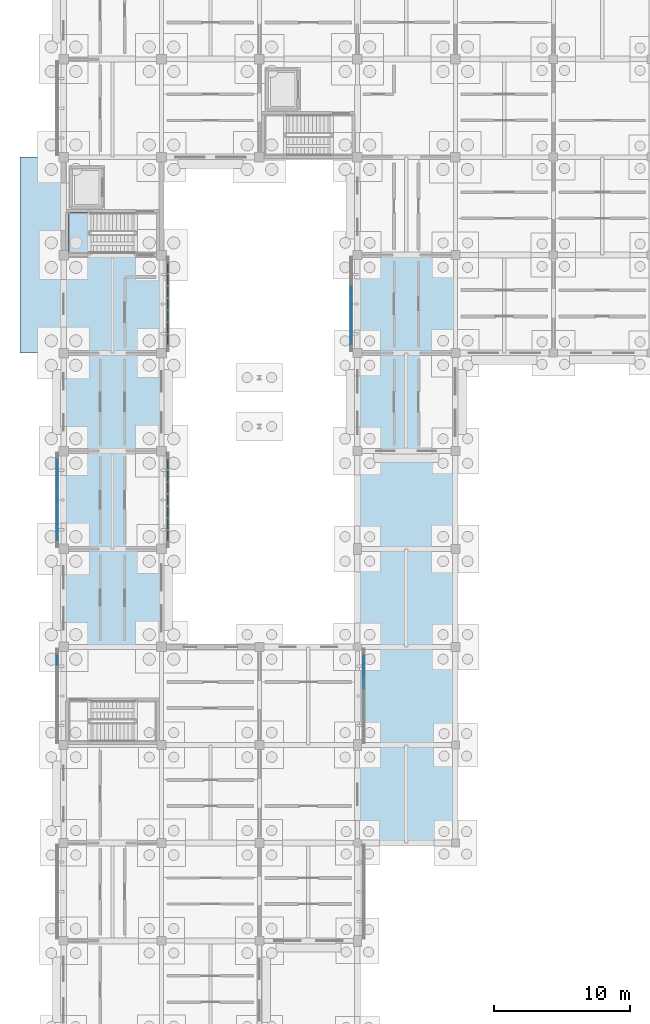
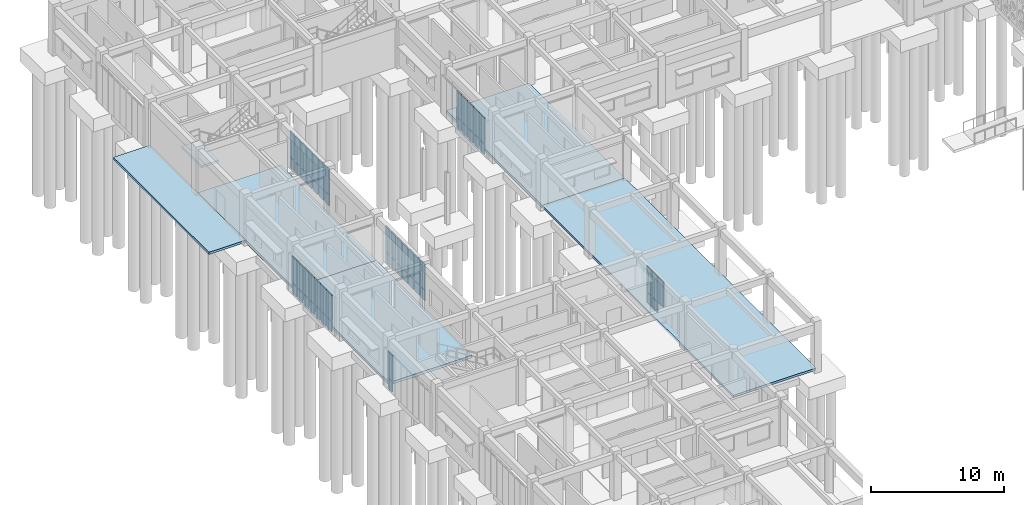
# One storey, part 49 of 111: 59 plates, 6 slabs, 7 elements without a shape of their own.
"""IFC4 building model written with IfcOpenShell, lengths in metres."""

from ifc_helpers import new_model, si_unit, direction, frame, origin, origin_2d, place, context, subcontext, project, spatial, polyline, rectangle, outline, extrude, material, layer, layer_set, type_object, element, aggregate, save


model = new_model("IFC4")

# Units and contexts
model_context = context("Model", 3, precision=1e-05, world=origin(), true_north=direction((0.0, 1.0)))
body_context = subcontext(model_context, "Body", "Model", "MODEL_VIEW")
ifc_project = project(units=[si_unit("LENGTHUNIT", "METRE"), si_unit("AREAUNIT", "SQUARE_METRE"), si_unit("VOLUMEUNIT", "CUBIC_METRE"), si_unit("PLANEANGLEUNIT", "RADIAN"), si_unit("MASSUNIT", "GRAM", prefix="KILO")], contexts=[model_context])

# Site, building, storey
site_placement = place(None, origin())
site = spatial("IfcSite", under=ifc_project, at=site_placement, CompositionType="ELEMENT")
building_placement = place(site_placement, origin())
building = spatial("IfcBuilding", under=site, at=building_placement, Name="Aldebral Square Health Centre", CompositionType="ELEMENT")
storey_placement = place(building_placement, origin())
storey = spatial("IfcBuildingStorey", under=building, at=storey_placement, Name="L00", CompositionType="ELEMENT", Elevation=0.0)

# Curtain wall, plates
ifc_material_1 = material(Name="Aluminium and low-E solar glass", Category="aluminium")
curtain_wall_type = type_object("IfcCurtainWallType", Name="CW-FIN-SYS", PredefinedType="USERDEFINED", material=ifc_material_1)
curtain_wall_1_placement = place(storey_placement, origin())
curtain_wall_1 = element("IfcCurtainWall", 1, at=curtain_wall_1_placement, inside=storey, type_object=curtain_wall_type, Name="L00 V4 finned curtain wall L00-V4-00-08-W", ObjectType="SOLAR_CURTAIN_WALL", PredefinedType="USERDEFINED")
ifc_material_2 = material(Name="Solar-control low-E double glass", Category="glass")
ifc_layer_1 = layer(ifc_material_2, 0.06005859375, Name="Solar-control low-E double glass", Category="glass")
ifc_layer_set_1 = layer_set([ifc_layer_1], Name="Solar-control low-E double glass")
plate_type_1 = type_object("IfcPlateType", Name="CWP-GLZ-5", PredefinedType="CURTAIN_PANEL", material=ifc_layer_set_1)
plate_1_placement = place(storey_placement, frame((-0.4599609375, 63.834228515625, 0.074951171875), z_axis=(0.0, 0.0, 1.0), x_axis=(0.0, -1.0, 0.0)))
plate_1 = element("IfcPlate", 2, at=plate_1_placement, type_object=plate_type_1, Name="CW1 panel 1.1", PredefinedType="CURTAIN_PANEL", context=body_context, shape_type="SweptSolid", body=[
    extrude(rectangle(XDim=0.6513671875, YDim=0.06005859375, at=origin_2d()), origin(), (0.0, 0.0, 1.0), 0.9375),
])
plate_2_placement = place(storey_placement, frame((-0.4599609375, 63.834228515625, 1.087646484375), z_axis=(0.0, 0.0, 1.0), x_axis=(0.0, -1.0, 0.0)))
plate_2 = element("IfcPlate", 3, at=plate_2_placement, type_object=plate_type_1, Name="CW1 panel 1.2", PredefinedType="CURTAIN_PANEL", context=body_context, shape_type="SweptSolid", body=[
    extrude(rectangle(XDim=0.6513671875, YDim=0.06005859375, at=origin_2d()), origin(), (0.0, 0.0, 1.0), 2.357421875),
])
aggregate(curtain_wall_1, [plate_1, plate_2])

curtain_wall_2_placement = place(storey_placement, origin())
curtain_wall_2 = element("IfcCurtainWall", 4, at=curtain_wall_2_placement, inside=storey, type_object=curtain_wall_type, Name="L00 V4 finned curtain wall L00-V4-02-08-E", ObjectType="SOLAR_CURTAIN_WALL", PredefinedType="USERDEFINED")
plate_3_placement = place(storey_placement, frame((22.06005859375, 62.09130859375, 1.087646484375), z_axis=(0.0, 0.0, 1.0), x_axis=(0.0, 1.0, 0.0)))
plate_3 = element("IfcPlate", 5, at=plate_3_placement, type_object=plate_type_1, Name="CW1 panel 5.2", PredefinedType="CURTAIN_PANEL", context=body_context, shape_type="SweptSolid", body=[
    extrude(rectangle(XDim=0.7314453125, YDim=0.06005859375, at=origin_2d()), origin(), (0.0, 0.0, 1.0), 2.357421875),
])
plate_4_placement = place(storey_placement, frame((22.06005859375, 62.98291015625, 0.074951171875), z_axis=(0.0, 0.0, 1.0), x_axis=(0.0, 1.0, 0.0)))
plate_4 = element("IfcPlate", 6, at=plate_4_placement, type_object=plate_type_1, Name="CW1 panel 6.1", PredefinedType="CURTAIN_PANEL", context=body_context, shape_type="SweptSolid", body=[
    extrude(rectangle(XDim=0.7314453125, YDim=0.06005859375, at=origin_2d()), origin(), (0.0, 0.0, 1.0), 0.9375),
])
plate_5_placement = place(storey_placement, frame((22.06005859375, 62.98291015625, 1.087646484375), z_axis=(0.0, 0.0, 1.0), x_axis=(0.0, 1.0, 0.0)))
plate_5 = element("IfcPlate", 7, at=plate_5_placement, type_object=plate_type_1, Name="CW1 panel 6.2", PredefinedType="CURTAIN_PANEL", context=body_context, shape_type="SweptSolid", body=[
    extrude(rectangle(XDim=0.7314453125, YDim=0.06005859375, at=origin_2d()), origin(), (0.0, 0.0, 1.0), 2.357421875),
])
plate_6_placement = place(storey_placement, frame((22.06005859375, 63.834228515625, 0.074951171875), z_axis=(0.0, 0.0, 1.0), x_axis=(0.0, 1.0, 0.0)))
plate_6 = element("IfcPlate", 8, at=plate_6_placement, type_object=plate_type_1, Name="CW1 panel 7.1", PredefinedType="CURTAIN_PANEL", context=body_context, shape_type="SweptSolid", body=[
    extrude(rectangle(XDim=0.6513671875, YDim=0.06005859375, at=origin_2d()), origin(), (0.0, 0.0, 1.0), 0.9375),
])
plate_7_placement = place(storey_placement, frame((22.06005859375, 63.834228515625, 1.087646484375), z_axis=(0.0, 0.0, 1.0), x_axis=(0.0, 1.0, 0.0)))
plate_7 = element("IfcPlate", 9, at=plate_7_placement, type_object=plate_type_1, Name="CW1 panel 7.2", PredefinedType="CURTAIN_PANEL", context=body_context, shape_type="SweptSolid", body=[
    extrude(rectangle(XDim=0.6513671875, YDim=0.06005859375, at=origin_2d()), origin(), (0.0, 0.0, 1.0), 2.357421875),
])
aggregate(curtain_wall_2, [plate_3, plate_4, plate_5, plate_6, plate_7])

curtain_wall_3_placement = place(storey_placement, origin())
curtain_wall_3 = element("IfcCurtainWall", 10, at=curtain_wall_3_placement, inside=storey, type_object=curtain_wall_type, Name="L00 V4 finned curtain wall L00-V4-00-10-W", ObjectType="SOLAR_CURTAIN_WALL", PredefinedType="USERDEFINED")
ifc_layer_2 = layer(ifc_material_2, 0.070068359375, Name="Solar-control low-E double glass", Category="glass")
ifc_layer_set_2 = layer_set([ifc_layer_2], Name="Solar-control low-E double glass")
plate_type_2 = type_object("IfcPlateType", Name="CWP-GLZ-6", PredefinedType="CURTAIN_PANEL", material=ifc_layer_set_2)
plate_8_placement = place(storey_placement, frame((-0.4599609375, 78.234375, 0.074951171875), z_axis=(0.0, 0.0, 1.0), x_axis=(0.0, -1.0, 0.0)))
plate_8 = element("IfcPlate", 11, at=plate_8_placement, type_object=plate_type_2, Name="CW1 panel 1.1", PredefinedType="CURTAIN_PANEL", context=body_context, shape_type="SweptSolid", body=[
    extrude(rectangle(XDim=0.6513671875, YDim=0.070068359375, at=origin_2d()), origin(), (0.0, 0.0, 1.0), 0.9375),
])
plate_9_placement = place(storey_placement, frame((-0.4599609375, 78.234375, 1.087646484375), z_axis=(0.0, 0.0, 1.0), x_axis=(0.0, -1.0, 0.0)))
plate_9 = element("IfcPlate", 12, at=plate_9_placement, type_object=plate_type_2, Name="CW1 panel 1.2", PredefinedType="CURTAIN_PANEL", context=body_context, shape_type="SweptSolid", body=[
    extrude(rectangle(XDim=0.6513671875, YDim=0.070068359375, at=origin_2d()), origin(), (0.0, 0.0, 1.0), 2.357421875),
])
plate_10_placement = place(storey_placement, frame((-0.4599609375, 77.3828125, 0.074951171875), z_axis=(0.0, 0.0, 1.0), x_axis=(0.0, -1.0, 0.0)))
plate_10 = element("IfcPlate", 13, at=plate_10_placement, type_object=plate_type_2, Name="CW1 panel 2.1", PredefinedType="CURTAIN_PANEL", context=body_context, shape_type="SweptSolid", body=[
    extrude(rectangle(XDim=0.7314453125, YDim=0.070068359375, at=origin_2d()), origin(), (0.0, 0.0, 1.0), 0.9375),
])
plate_11_placement = place(storey_placement, frame((-0.4599609375, 77.3828125, 1.087646484375), z_axis=(0.0, 0.0, 1.0), x_axis=(0.0, -1.0, 0.0)))
plate_11 = element("IfcPlate", 14, at=plate_11_placement, type_object=plate_type_2, Name="CW1 panel 2.2", PredefinedType="CURTAIN_PANEL", context=body_context, shape_type="SweptSolid", body=[
    extrude(rectangle(XDim=0.7314453125, YDim=0.070068359375, at=origin_2d()), origin(), (0.0, 0.0, 1.0), 2.357421875),
])
plate_12_placement = place(storey_placement, frame((-0.4599609375, 76.491455078125, 0.074951171875), z_axis=(0.0, 0.0, 1.0), x_axis=(0.0, -1.0, 0.0)))
plate_12 = element("IfcPlate", 15, at=plate_12_placement, type_object=plate_type_2, Name="CW1 panel 3.1", PredefinedType="CURTAIN_PANEL", context=body_context, shape_type="SweptSolid", body=[
    extrude(rectangle(XDim=0.7314453125, YDim=0.070068359375, at=origin_2d()), origin(), (0.0, 0.0, 1.0), 0.9375),
])
plate_13_placement = place(storey_placement, frame((-0.4599609375, 76.491455078125, 1.087646484375), z_axis=(0.0, 0.0, 1.0), x_axis=(0.0, -1.0, 0.0)))
plate_13 = element("IfcPlate", 16, at=plate_13_placement, type_object=plate_type_2, Name="CW1 panel 3.2", PredefinedType="CURTAIN_PANEL", context=body_context, shape_type="SweptSolid", body=[
    extrude(rectangle(XDim=0.7314453125, YDim=0.070068359375, at=origin_2d()), origin(), (0.0, 0.0, 1.0), 2.357421875),
])
plate_14_placement = place(storey_placement, frame((-0.4599609375, 75.60009765625, 0.074951171875), z_axis=(0.0, 0.0, 1.0), x_axis=(0.0, -1.0, 0.0)))
plate_14 = element("IfcPlate", 17, at=plate_14_placement, type_object=plate_type_2, Name="CW1 panel 4.1", PredefinedType="CURTAIN_PANEL", context=body_context, shape_type="SweptSolid", body=[
    extrude(rectangle(XDim=0.7314453125, YDim=0.070068359375, at=origin_2d()), origin(), (0.0, 0.0, 1.0), 0.9375),
])
plate_15_placement = place(storey_placement, frame((-0.4599609375, 75.60009765625, 1.087646484375), z_axis=(0.0, 0.0, 1.0), x_axis=(0.0, -1.0, 0.0)))
plate_15 = element("IfcPlate", 18, at=plate_15_placement, type_object=plate_type_2, Name="CW1 panel 4.2", PredefinedType="CURTAIN_PANEL", context=body_context, shape_type="SweptSolid", body=[
    extrude(rectangle(XDim=0.7314453125, YDim=0.070068359375, at=origin_2d()), origin(), (0.0, 0.0, 1.0), 2.357421875),
])
plate_16_placement = place(storey_placement, frame((-0.4599609375, 74.70849609375, 0.074951171875), z_axis=(0.0, 0.0, 1.0), x_axis=(0.0, -1.0, 0.0)))
plate_16 = element("IfcPlate", 19, at=plate_16_placement, type_object=plate_type_2, Name="CW1 panel 5.1", PredefinedType="CURTAIN_PANEL", context=body_context, shape_type="SweptSolid", body=[
    extrude(rectangle(XDim=0.7314453125, YDim=0.070068359375, at=origin_2d()), origin(), (0.0, 0.0, 1.0), 0.9375),
])
plate_17_placement = place(storey_placement, frame((-0.4599609375, 74.70849609375, 1.087646484375), z_axis=(0.0, 0.0, 1.0), x_axis=(0.0, -1.0, 0.0)))
plate_17 = element("IfcPlate", 20, at=plate_17_placement, type_object=plate_type_2, Name="CW1 panel 5.2", PredefinedType="CURTAIN_PANEL", context=body_context, shape_type="SweptSolid", body=[
    extrude(rectangle(XDim=0.7314453125, YDim=0.070068359375, at=origin_2d()), origin(), (0.0, 0.0, 1.0), 2.357421875),
])
plate_18_placement = place(storey_placement, frame((-0.4599609375, 73.817138671875, 0.074951171875), z_axis=(0.0, 0.0, 1.0), x_axis=(0.0, -1.0, 0.0)))
plate_18 = element("IfcPlate", 21, at=plate_18_placement, type_object=plate_type_2, Name="CW1 panel 6.1", PredefinedType="CURTAIN_PANEL", context=body_context, shape_type="SweptSolid", body=[
    extrude(rectangle(XDim=0.7314453125, YDim=0.070068359375, at=origin_2d()), origin(), (0.0, 0.0, 1.0), 0.9375),
])
plate_19_placement = place(storey_placement, frame((-0.4599609375, 73.817138671875, 1.087646484375), z_axis=(0.0, 0.0, 1.0), x_axis=(0.0, -1.0, 0.0)))
plate_19 = element("IfcPlate", 22, at=plate_19_placement, type_object=plate_type_2, Name="CW1 panel 6.2", PredefinedType="CURTAIN_PANEL", context=body_context, shape_type="SweptSolid", body=[
    extrude(rectangle(XDim=0.7314453125, YDim=0.070068359375, at=origin_2d()), origin(), (0.0, 0.0, 1.0), 2.357421875),
])
plate_20_placement = place(storey_placement, frame((-0.4599609375, 72.9658203125, 0.074951171875), z_axis=(0.0, 0.0, 1.0), x_axis=(0.0, -1.0, 0.0)))
plate_20 = element("IfcPlate", 23, at=plate_20_placement, type_object=plate_type_2, Name="CW1 panel 7.1", PredefinedType="CURTAIN_PANEL", context=body_context, shape_type="SweptSolid", body=[
    extrude(rectangle(XDim=0.6513671875, YDim=0.070068359375, at=origin_2d()), origin(), (0.0, 0.0, 1.0), 0.9375),
])
plate_21_placement = place(storey_placement, frame((-0.4599609375, 72.9658203125, 1.087646484375), z_axis=(0.0, 0.0, 1.0), x_axis=(0.0, -1.0, 0.0)))
plate_21 = element("IfcPlate", 24, at=plate_21_placement, type_object=plate_type_2, Name="CW1 panel 7.2", PredefinedType="CURTAIN_PANEL", context=body_context, shape_type="SweptSolid", body=[
    extrude(rectangle(XDim=0.6513671875, YDim=0.070068359375, at=origin_2d()), origin(), (0.0, 0.0, 1.0), 2.357421875),
])
aggregate(curtain_wall_3, [plate_8, plate_9, plate_10, plate_11, plate_12, plate_13, plate_14, plate_15, plate_16, plate_17, plate_18, plate_19, plate_20, plate_21])

curtain_wall_4_placement = place(storey_placement, origin())
curtain_wall_4 = element("IfcCurtainWall", 25, at=curtain_wall_4_placement, inside=storey, type_object=curtain_wall_type, Name="L00 V4 finned curtain wall L00-V4-03-12-W", ObjectType="SOLAR_CURTAIN_WALL", PredefinedType="USERDEFINED")
plate_22_placement = place(storey_placement, frame((21.139892578125, 90.891357421875, 0.074951171875), z_axis=(0.0, 0.0, 1.0), x_axis=(0.0, -1.0, 0.0)))
plate_22 = element("IfcPlate", 26, at=plate_22_placement, type_object=plate_type_2, Name="CW1 panel 3.1", PredefinedType="CURTAIN_PANEL", context=body_context, shape_type="SweptSolid", body=[
    extrude(rectangle(XDim=0.7314453125, YDim=0.070068359375, at=origin_2d()), origin(), (0.0, 0.0, 1.0), 0.9375),
])
plate_23_placement = place(storey_placement, frame((21.139892578125, 90.891357421875, 1.087646484375), z_axis=(0.0, 0.0, 1.0), x_axis=(0.0, -1.0, 0.0)))
plate_23 = element("IfcPlate", 27, at=plate_23_placement, type_object=plate_type_2, Name="CW1 panel 3.2", PredefinedType="CURTAIN_PANEL", context=body_context, shape_type="SweptSolid", body=[
    extrude(rectangle(XDim=0.7314453125, YDim=0.070068359375, at=origin_2d()), origin(), (0.0, 0.0, 1.0), 2.357421875),
])
plate_24_placement = place(storey_placement, frame((21.139892578125, 90.0, 0.074951171875), z_axis=(0.0, 0.0, 1.0), x_axis=(0.0, -1.0, 0.0)))
plate_24 = element("IfcPlate", 28, at=plate_24_placement, type_object=plate_type_2, Name="CW1 panel 4.1", PredefinedType="CURTAIN_PANEL", context=body_context, shape_type="SweptSolid", body=[
    extrude(rectangle(XDim=0.7314453125, YDim=0.070068359375, at=origin_2d()), origin(), (0.0, 0.0, 1.0), 0.9375),
])
plate_25_placement = place(storey_placement, frame((21.139892578125, 90.0, 1.087646484375), z_axis=(0.0, 0.0, 1.0), x_axis=(0.0, -1.0, 0.0)))
plate_25 = element("IfcPlate", 29, at=plate_25_placement, type_object=plate_type_2, Name="CW1 panel 4.2", PredefinedType="CURTAIN_PANEL", context=body_context, shape_type="SweptSolid", body=[
    extrude(rectangle(XDim=0.7314453125, YDim=0.070068359375, at=origin_2d()), origin(), (0.0, 0.0, 1.0), 2.357421875),
])
plate_26_placement = place(storey_placement, frame((21.139892578125, 89.108642578125, 0.074951171875), z_axis=(0.0, 0.0, 1.0), x_axis=(0.0, -1.0, 0.0)))
plate_26 = element("IfcPlate", 30, at=plate_26_placement, type_object=plate_type_2, Name="CW1 panel 5.1", PredefinedType="CURTAIN_PANEL", context=body_context, shape_type="SweptSolid", body=[
    extrude(rectangle(XDim=0.7314453125, YDim=0.070068359375, at=origin_2d()), origin(), (0.0, 0.0, 1.0), 0.9375),
])
plate_27_placement = place(storey_placement, frame((21.139892578125, 89.108642578125, 1.087646484375), z_axis=(0.0, 0.0, 1.0), x_axis=(0.0, -1.0, 0.0)))
plate_27 = element("IfcPlate", 31, at=plate_27_placement, type_object=plate_type_2, Name="CW1 panel 5.2", PredefinedType="CURTAIN_PANEL", context=body_context, shape_type="SweptSolid", body=[
    extrude(rectangle(XDim=0.7314453125, YDim=0.070068359375, at=origin_2d()), origin(), (0.0, 0.0, 1.0), 2.357421875),
])
plate_28_placement = place(storey_placement, frame((21.139892578125, 88.217041015625, 0.074951171875), z_axis=(0.0, 0.0, 1.0), x_axis=(0.0, -1.0, 0.0)))
plate_28 = element("IfcPlate", 32, at=plate_28_placement, type_object=plate_type_2, Name="CW1 panel 6.1", PredefinedType="CURTAIN_PANEL", context=body_context, shape_type="SweptSolid", body=[
    extrude(rectangle(XDim=0.7314453125, YDim=0.070068359375, at=origin_2d()), origin(), (0.0, 0.0, 1.0), 0.9375),
])
plate_29_placement = place(storey_placement, frame((21.139892578125, 88.217041015625, 1.087646484375), z_axis=(0.0, 0.0, 1.0), x_axis=(0.0, -1.0, 0.0)))
plate_29 = element("IfcPlate", 33, at=plate_29_placement, type_object=plate_type_2, Name="CW1 panel 6.2", PredefinedType="CURTAIN_PANEL", context=body_context, shape_type="SweptSolid", body=[
    extrude(rectangle(XDim=0.7314453125, YDim=0.070068359375, at=origin_2d()), origin(), (0.0, 0.0, 1.0), 2.357421875),
])
plate_30_placement = place(storey_placement, frame((21.139892578125, 87.36572265625, 0.074951171875), z_axis=(0.0, 0.0, 1.0), x_axis=(0.0, -1.0, 0.0)))
plate_30 = element("IfcPlate", 34, at=plate_30_placement, type_object=plate_type_2, Name="CW1 panel 7.1", PredefinedType="CURTAIN_PANEL", context=body_context, shape_type="SweptSolid", body=[
    extrude(rectangle(XDim=0.6513671875, YDim=0.070068359375, at=origin_2d()), origin(), (0.0, 0.0, 1.0), 0.9375),
])
plate_31_placement = place(storey_placement, frame((21.139892578125, 87.36572265625, 1.087646484375), z_axis=(0.0, 0.0, 1.0), x_axis=(0.0, -1.0, 0.0)))
plate_31 = element("IfcPlate", 35, at=plate_31_placement, type_object=plate_type_2, Name="CW1 panel 7.2", PredefinedType="CURTAIN_PANEL", context=body_context, shape_type="SweptSolid", body=[
    extrude(rectangle(XDim=0.6513671875, YDim=0.070068359375, at=origin_2d()), origin(), (0.0, 0.0, 1.0), 2.357421875),
])
aggregate(curtain_wall_4, [plate_22, plate_23, plate_24, plate_25, plate_26, plate_27, plate_28, plate_29, plate_30, plate_31])

curtain_wall_5_placement = place(storey_placement, origin())
curtain_wall_5 = element("IfcCurtainWall", 36, at=curtain_wall_5_placement, inside=storey, type_object=curtain_wall_type, Name="L00 V4 finned curtain wall L00-V4-00-10-E", ObjectType="SOLAR_CURTAIN_WALL", PredefinedType="USERDEFINED")
ifc_layer_3 = layer(ifc_material_2, 0.080078125, Name="Solar-control low-E double glass", Category="glass")
ifc_layer_set_3 = layer_set([ifc_layer_3], Name="Solar-control low-E double glass")
plate_type_3 = type_object("IfcPlateType", Name="CWP-GLZ-7", PredefinedType="CURTAIN_PANEL", material=ifc_layer_set_3)
plate_32_placement = place(storey_placement, frame((7.659912109375, 72.9658203125, 0.074951171875), z_axis=(0.0, 0.0, 1.0), x_axis=(0.0, 1.0, 0.0)))
plate_32 = element("IfcPlate", 37, at=plate_32_placement, type_object=plate_type_3, Name="CW1 panel 1.1", PredefinedType="CURTAIN_PANEL", context=body_context, shape_type="SweptSolid", body=[
    extrude(rectangle(XDim=0.6513671875, YDim=0.080078125, at=origin_2d()), origin(), (0.0, 0.0, 1.0), 0.9375),
])
plate_33_placement = place(storey_placement, frame((7.659912109375, 72.9658203125, 1.087646484375), z_axis=(0.0, 0.0, 1.0), x_axis=(0.0, 1.0, 0.0)))
plate_33 = element("IfcPlate", 38, at=plate_33_placement, type_object=plate_type_3, Name="CW1 panel 1.2", PredefinedType="CURTAIN_PANEL", context=body_context, shape_type="SweptSolid", body=[
    extrude(rectangle(XDim=0.6513671875, YDim=0.080078125, at=origin_2d()), origin(), (0.0, 0.0, 1.0), 2.357421875),
])
plate_34_placement = place(storey_placement, frame((7.659912109375, 73.817138671875, 0.074951171875), z_axis=(0.0, 0.0, 1.0), x_axis=(0.0, 1.0, 0.0)))
plate_34 = element("IfcPlate", 39, at=plate_34_placement, type_object=plate_type_3, Name="CW1 panel 2.1", PredefinedType="CURTAIN_PANEL", context=body_context, shape_type="SweptSolid", body=[
    extrude(rectangle(XDim=0.7314453125, YDim=0.080078125, at=origin_2d()), origin(), (0.0, 0.0, 1.0), 0.9375),
])
plate_35_placement = place(storey_placement, frame((7.659912109375, 73.817138671875, 1.087646484375), z_axis=(0.0, 0.0, 1.0), x_axis=(0.0, 1.0, 0.0)))
plate_35 = element("IfcPlate", 40, at=plate_35_placement, type_object=plate_type_3, Name="CW1 panel 2.2", PredefinedType="CURTAIN_PANEL", context=body_context, shape_type="SweptSolid", body=[
    extrude(rectangle(XDim=0.7314453125, YDim=0.080078125, at=origin_2d()), origin(), (0.0, 0.0, 1.0), 2.357421875),
])
plate_36_placement = place(storey_placement, frame((7.659912109375, 74.70849609375, 0.074951171875), z_axis=(0.0, 0.0, 1.0), x_axis=(0.0, 1.0, 0.0)))
plate_36 = element("IfcPlate", 41, at=plate_36_placement, type_object=plate_type_3, Name="CW1 panel 3.1", PredefinedType="CURTAIN_PANEL", context=body_context, shape_type="SweptSolid", body=[
    extrude(rectangle(XDim=0.7314453125, YDim=0.080078125, at=origin_2d()), origin(), (0.0, 0.0, 1.0), 0.9375),
])
plate_37_placement = place(storey_placement, frame((7.659912109375, 74.70849609375, 1.087646484375), z_axis=(0.0, 0.0, 1.0), x_axis=(0.0, 1.0, 0.0)))
plate_37 = element("IfcPlate", 42, at=plate_37_placement, type_object=plate_type_3, Name="CW1 panel 3.2", PredefinedType="CURTAIN_PANEL", context=body_context, shape_type="SweptSolid", body=[
    extrude(rectangle(XDim=0.7314453125, YDim=0.080078125, at=origin_2d()), origin(), (0.0, 0.0, 1.0), 2.357421875),
])
plate_38_placement = place(storey_placement, frame((7.659912109375, 75.60009765625, 0.074951171875), z_axis=(0.0, 0.0, 1.0), x_axis=(0.0, 1.0, 0.0)))
plate_38 = element("IfcPlate", 43, at=plate_38_placement, type_object=plate_type_3, Name="CW1 panel 4.1", PredefinedType="CURTAIN_PANEL", context=body_context, shape_type="SweptSolid", body=[
    extrude(rectangle(XDim=0.7314453125, YDim=0.080078125, at=origin_2d()), origin(), (0.0, 0.0, 1.0), 0.9375),
])
plate_39_placement = place(storey_placement, frame((7.659912109375, 75.60009765625, 1.087646484375), z_axis=(0.0, 0.0, 1.0), x_axis=(0.0, 1.0, 0.0)))
plate_39 = element("IfcPlate", 44, at=plate_39_placement, type_object=plate_type_3, Name="CW1 panel 4.2", PredefinedType="CURTAIN_PANEL", context=body_context, shape_type="SweptSolid", body=[
    extrude(rectangle(XDim=0.7314453125, YDim=0.080078125, at=origin_2d()), origin(), (0.0, 0.0, 1.0), 2.357421875),
])
plate_40_placement = place(storey_placement, frame((7.659912109375, 76.491455078125, 0.074951171875), z_axis=(0.0, 0.0, 1.0), x_axis=(0.0, 1.0, 0.0)))
plate_40 = element("IfcPlate", 45, at=plate_40_placement, type_object=plate_type_3, Name="CW1 panel 5.1", PredefinedType="CURTAIN_PANEL", context=body_context, shape_type="SweptSolid", body=[
    extrude(rectangle(XDim=0.7314453125, YDim=0.080078125, at=origin_2d()), origin(), (0.0, 0.0, 1.0), 0.9375),
])
plate_41_placement = place(storey_placement, frame((7.659912109375, 76.491455078125, 1.087646484375), z_axis=(0.0, 0.0, 1.0), x_axis=(0.0, 1.0, 0.0)))
plate_41 = element("IfcPlate", 46, at=plate_41_placement, type_object=plate_type_3, Name="CW1 panel 5.2", PredefinedType="CURTAIN_PANEL", context=body_context, shape_type="SweptSolid", body=[
    extrude(rectangle(XDim=0.7314453125, YDim=0.080078125, at=origin_2d()), origin(), (0.0, 0.0, 1.0), 2.357421875),
])
plate_42_placement = place(storey_placement, frame((7.659912109375, 77.3828125, 0.074951171875), z_axis=(0.0, 0.0, 1.0), x_axis=(0.0, 1.0, 0.0)))
plate_42 = element("IfcPlate", 47, at=plate_42_placement, type_object=plate_type_3, Name="CW1 panel 6.1", PredefinedType="CURTAIN_PANEL", context=body_context, shape_type="SweptSolid", body=[
    extrude(rectangle(XDim=0.7314453125, YDim=0.080078125, at=origin_2d()), origin(), (0.0, 0.0, 1.0), 0.9375),
])
plate_43_placement = place(storey_placement, frame((7.659912109375, 77.3828125, 1.087646484375), z_axis=(0.0, 0.0, 1.0), x_axis=(0.0, 1.0, 0.0)))
plate_43 = element("IfcPlate", 48, at=plate_43_placement, type_object=plate_type_3, Name="CW1 panel 6.2", PredefinedType="CURTAIN_PANEL", context=body_context, shape_type="SweptSolid", body=[
    extrude(rectangle(XDim=0.7314453125, YDim=0.080078125, at=origin_2d()), origin(), (0.0, 0.0, 1.0), 2.357421875),
])
plate_44_placement = place(storey_placement, frame((7.659912109375, 78.234375, 0.074951171875), z_axis=(0.0, 0.0, 1.0), x_axis=(0.0, 1.0, 0.0)))
plate_44 = element("IfcPlate", 49, at=plate_44_placement, type_object=plate_type_3, Name="CW1 panel 7.1", PredefinedType="CURTAIN_PANEL", context=body_context, shape_type="SweptSolid", body=[
    extrude(rectangle(XDim=0.6513671875, YDim=0.080078125, at=origin_2d()), origin(), (0.0, 0.0, 1.0), 0.9375),
])
plate_45_placement = place(storey_placement, frame((7.659912109375, 78.234375, 1.087646484375), z_axis=(0.0, 0.0, 1.0), x_axis=(0.0, 1.0, 0.0)))
plate_45 = element("IfcPlate", 50, at=plate_45_placement, type_object=plate_type_3, Name="CW1 panel 7.2", PredefinedType="CURTAIN_PANEL", context=body_context, shape_type="SweptSolid", body=[
    extrude(rectangle(XDim=0.6513671875, YDim=0.080078125, at=origin_2d()), origin(), (0.0, 0.0, 1.0), 2.357421875),
])
aggregate(curtain_wall_5, [plate_32, plate_33, plate_34, plate_35, plate_36, plate_37, plate_38, plate_39, plate_40, plate_41, plate_42, plate_43, plate_44, plate_45])

curtain_wall_6_placement = place(storey_placement, origin())
curtain_wall_6 = element("IfcCurtainWall", 51, at=curtain_wall_6_placement, inside=storey, type_object=curtain_wall_type, Name="L00 V4 finned curtain wall L00-V4-00-12-E", ObjectType="SOLAR_CURTAIN_WALL", PredefinedType="USERDEFINED")
ifc_layer_4 = layer(ifc_material_2, 0.090087890625, Name="Solar-control low-E double glass", Category="glass")
ifc_layer_set_4 = layer_set([ifc_layer_4], Name="Solar-control low-E double glass")
plate_type_4 = type_object("IfcPlateType", Name="CWP-GLZ-8", PredefinedType="CURTAIN_PANEL", material=ifc_layer_set_4)
plate_46_placement = place(storey_placement, frame((7.659912109375, 87.36572265625, 0.074951171875), z_axis=(0.0, 0.0, 1.0), x_axis=(0.0, 1.0, 0.0)))
plate_46 = element("IfcPlate", 52, at=plate_46_placement, type_object=plate_type_4, Name="CW1 panel 1.1", PredefinedType="CURTAIN_PANEL", context=body_context, shape_type="SweptSolid", body=[
    extrude(rectangle(XDim=0.6513671875, YDim=0.090087890625, at=origin_2d()), origin(), (0.0, 0.0, 1.0), 0.9375),
])
plate_47_placement = place(storey_placement, frame((7.659912109375, 87.36572265625, 1.087646484375), z_axis=(0.0, 0.0, 1.0), x_axis=(0.0, 1.0, 0.0)))
plate_47 = element("IfcPlate", 53, at=plate_47_placement, type_object=plate_type_4, Name="CW1 panel 1.2", PredefinedType="CURTAIN_PANEL", context=body_context, shape_type="SweptSolid", body=[
    extrude(rectangle(XDim=0.6513671875, YDim=0.090087890625, at=origin_2d()), origin(), (0.0, 0.0, 1.0), 2.357421875),
])
plate_48_placement = place(storey_placement, frame((7.659912109375, 88.217041015625, 0.074951171875), z_axis=(0.0, 0.0, 1.0), x_axis=(0.0, 1.0, 0.0)))
plate_48 = element("IfcPlate", 54, at=plate_48_placement, type_object=plate_type_4, Name="CW1 panel 2.1", PredefinedType="CURTAIN_PANEL", context=body_context, shape_type="SweptSolid", body=[
    extrude(rectangle(XDim=0.7314453125, YDim=0.090087890625, at=origin_2d()), origin(), (0.0, 0.0, 1.0), 0.9375),
])
plate_49_placement = place(storey_placement, frame((7.659912109375, 88.217041015625, 1.087646484375), z_axis=(0.0, 0.0, 1.0), x_axis=(0.0, 1.0, 0.0)))
plate_49 = element("IfcPlate", 55, at=plate_49_placement, type_object=plate_type_4, Name="CW1 panel 2.2", PredefinedType="CURTAIN_PANEL", context=body_context, shape_type="SweptSolid", body=[
    extrude(rectangle(XDim=0.7314453125, YDim=0.090087890625, at=origin_2d()), origin(), (0.0, 0.0, 1.0), 2.357421875),
])
plate_50_placement = place(storey_placement, frame((7.659912109375, 89.108642578125, 0.074951171875), z_axis=(0.0, 0.0, 1.0), x_axis=(0.0, 1.0, 0.0)))
plate_50 = element("IfcPlate", 56, at=plate_50_placement, type_object=plate_type_4, Name="CW1 panel 3.1", PredefinedType="CURTAIN_PANEL", context=body_context, shape_type="SweptSolid", body=[
    extrude(rectangle(XDim=0.7314453125, YDim=0.090087890625, at=origin_2d()), origin(), (0.0, 0.0, 1.0), 0.9375),
])
plate_51_placement = place(storey_placement, frame((7.659912109375, 89.108642578125, 1.087646484375), z_axis=(0.0, 0.0, 1.0), x_axis=(0.0, 1.0, 0.0)))
plate_51 = element("IfcPlate", 57, at=plate_51_placement, type_object=plate_type_4, Name="CW1 panel 3.2", PredefinedType="CURTAIN_PANEL", context=body_context, shape_type="SweptSolid", body=[
    extrude(rectangle(XDim=0.7314453125, YDim=0.090087890625, at=origin_2d()), origin(), (0.0, 0.0, 1.0), 2.357421875),
])
plate_52_placement = place(storey_placement, frame((7.659912109375, 90.0, 0.074951171875), z_axis=(0.0, 0.0, 1.0), x_axis=(0.0, 1.0, 0.0)))
plate_52 = element("IfcPlate", 58, at=plate_52_placement, type_object=plate_type_4, Name="CW1 panel 4.1", PredefinedType="CURTAIN_PANEL", context=body_context, shape_type="SweptSolid", body=[
    extrude(rectangle(XDim=0.7314453125, YDim=0.090087890625, at=origin_2d()), origin(), (0.0, 0.0, 1.0), 0.9375),
])
plate_53_placement = place(storey_placement, frame((7.659912109375, 90.0, 1.087646484375), z_axis=(0.0, 0.0, 1.0), x_axis=(0.0, 1.0, 0.0)))
plate_53 = element("IfcPlate", 59, at=plate_53_placement, type_object=plate_type_4, Name="CW1 panel 4.2", PredefinedType="CURTAIN_PANEL", context=body_context, shape_type="SweptSolid", body=[
    extrude(rectangle(XDim=0.7314453125, YDim=0.090087890625, at=origin_2d()), origin(), (0.0, 0.0, 1.0), 2.357421875),
])
plate_54_placement = place(storey_placement, frame((7.659912109375, 90.891357421875, 0.074951171875), z_axis=(0.0, 0.0, 1.0), x_axis=(0.0, 1.0, 0.0)))
plate_54 = element("IfcPlate", 60, at=plate_54_placement, type_object=plate_type_4, Name="CW1 panel 5.1", PredefinedType="CURTAIN_PANEL", context=body_context, shape_type="SweptSolid", body=[
    extrude(rectangle(XDim=0.7314453125, YDim=0.090087890625, at=origin_2d()), origin(), (0.0, 0.0, 1.0), 0.9375),
])
plate_55_placement = place(storey_placement, frame((7.659912109375, 90.891357421875, 1.087646484375), z_axis=(0.0, 0.0, 1.0), x_axis=(0.0, 1.0, 0.0)))
plate_55 = element("IfcPlate", 61, at=plate_55_placement, type_object=plate_type_4, Name="CW1 panel 5.2", PredefinedType="CURTAIN_PANEL", context=body_context, shape_type="SweptSolid", body=[
    extrude(rectangle(XDim=0.7314453125, YDim=0.090087890625, at=origin_2d()), origin(), (0.0, 0.0, 1.0), 2.357421875),
])
plate_56_placement = place(storey_placement, frame((7.659912109375, 91.782958984375, 0.074951171875), z_axis=(0.0, 0.0, 1.0), x_axis=(0.0, 1.0, 0.0)))
plate_56 = element("IfcPlate", 62, at=plate_56_placement, type_object=plate_type_4, Name="CW1 panel 6.1", PredefinedType="CURTAIN_PANEL", context=body_context, shape_type="SweptSolid", body=[
    extrude(rectangle(XDim=0.7314453125, YDim=0.090087890625, at=origin_2d()), origin(), (0.0, 0.0, 1.0), 0.9375),
])
plate_57_placement = place(storey_placement, frame((7.659912109375, 91.782958984375, 1.087646484375), z_axis=(0.0, 0.0, 1.0), x_axis=(0.0, 1.0, 0.0)))
plate_57 = element("IfcPlate", 63, at=plate_57_placement, type_object=plate_type_4, Name="CW1 panel 6.2", PredefinedType="CURTAIN_PANEL", context=body_context, shape_type="SweptSolid", body=[
    extrude(rectangle(XDim=0.7314453125, YDim=0.090087890625, at=origin_2d()), origin(), (0.0, 0.0, 1.0), 2.357421875),
])
plate_58_placement = place(storey_placement, frame((7.659912109375, 92.63427734375, 0.074951171875), z_axis=(0.0, 0.0, 1.0), x_axis=(0.0, 1.0, 0.0)))
plate_58 = element("IfcPlate", 64, at=plate_58_placement, type_object=plate_type_4, Name="CW1 panel 7.1", PredefinedType="CURTAIN_PANEL", context=body_context, shape_type="SweptSolid", body=[
    extrude(rectangle(XDim=0.6513671875, YDim=0.090087890625, at=origin_2d()), origin(), (0.0, 0.0, 1.0), 0.9375),
])
plate_59_placement = place(storey_placement, frame((7.659912109375, 92.63427734375, 1.087646484375), z_axis=(0.0, 0.0, 1.0), x_axis=(0.0, 1.0, 0.0)))
plate_59 = element("IfcPlate", 65, at=plate_59_placement, type_object=plate_type_4, Name="CW1 panel 7.2", PredefinedType="CURTAIN_PANEL", context=body_context, shape_type="SweptSolid", body=[
    extrude(rectangle(XDim=0.6513671875, YDim=0.090087890625, at=origin_2d()), origin(), (0.0, 0.0, 1.0), 2.357421875),
])
aggregate(curtain_wall_6, [plate_46, plate_47, plate_48, plate_49, plate_50, plate_51, plate_52, plate_53, plate_54, plate_55, plate_56, plate_57, plate_58, plate_59])

# Slabs
ifc_material_3 = material(Name="Concrete C35/45", Category="concrete")
ifc_layer_5 = layer(ifc_material_3, 0.25, Name="Concrete C35/45", Category="concrete")
ifc_layer_set_5 = layer_set([ifc_layer_5], Name="Concrete C35/45")
slab_type_1 = type_object("IfcSlabType", Name="SL-BASE-250", PredefinedType="BASESLAB", material=ifc_layer_set_5)
slab_1_placement = place(storey_placement, frame((0.0, 0.0, -0.25)))
element("IfcSlab", 66, at=slab_1_placement, inside=storey, type_object=slab_type_1, Name="L00 V4 base slab 2", PredefinedType="BASESLAB", context=body_context, shape_type="SweptSolid", body=[
    extrude(outline(polyline([(7.199951171875, 64.800048828125), (0.0, 64.800048828125), (0.0, 72.0), (0.0, 79.199951171875), (7.199951171875, 79.199951171875), (7.199951171875, 72.0), (7.199951171875, 64.800048828125)])), origin(), (0.0, 0.0, 1.0), 0.25),
])
slab_2_placement = place(storey_placement, frame((0.0, 0.0, -0.25)))
element("IfcSlab", 67, at=slab_2_placement, inside=storey, type_object=slab_type_1, Name="L00 V4 base slab 3", PredefinedType="BASESLAB", context=body_context, shape_type="SweptSolid", body=[
    extrude(outline(polyline([(7.199951171875, 79.199951171875), (0.0, 79.199951171875), (0.0, 86.39990234375), (0.0, 93.60009765625), (7.199951171875, 93.60009765625), (7.199951171875, 86.39990234375), (7.199951171875, 79.199951171875)])), origin(), (0.0, 0.0, 1.0), 0.25),
])
slab_3_placement = place(storey_placement, frame((0.0, 0.0, -0.25)))
element("IfcSlab", 68, at=slab_3_placement, inside=storey, type_object=slab_type_1, Name="L00 V4 base slab 8", PredefinedType="BASESLAB", context=body_context, shape_type="SweptSolid", body=[
    extrude(outline(polyline([(28.800048828125, 79.199951171875), (21.60009765625, 79.199951171875), (21.60009765625, 86.39990234375), (21.60009765625, 93.60009765625), (28.800048828125, 93.60009765625), (28.800048828125, 86.39990234375), (28.800048828125, 79.199951171875)])), origin(), (0.0, 0.0, 1.0), 0.25),
])
ifc_layer_6 = layer(ifc_material_3, 0.199951171875, Name="Concrete C35/45", Category="concrete")
ifc_layer_set_6 = layer_set([ifc_layer_6], Name="Concrete C35/45")
slab_type_2 = type_object("IfcSlabType", Name="SL-COL-200", PredefinedType="USERDEFINED", material=ifc_layer_set_6)
slab_4_placement = place(storey_placement, frame((0.0, 0.0, -0.199951171875)))
element("IfcSlab", 69, at=slab_4_placement, inside=storey, type_object=slab_type_2, Name="Aldebral Square colonnade paving 2", ObjectType="PAVING", PredefinedType="USERDEFINED", context=body_context, shape_type="SweptSolid", body=[
    extrude(outline(polyline([(21.60009765625, 64.800048828125), (21.60009765625, 72.0), (21.60009765625, 79.199951171875), (28.800048828125, 79.199951171875), (28.800048828125, 72.0), (28.800048828125, 64.800048828125), (28.800048828125, 57.60009765625), (28.800048828125, 50.39990234375), (21.60009765625, 50.39990234375), (21.60009765625, 57.60009765625), (21.60009765625, 64.800048828125)])), origin(), (0.0, 0.0, 1.0), 0.199951171875),
])
slab_5_placement = place(storey_placement, frame((0.0, 0.0, -0.199951171875)))
element("IfcSlab", 70, at=slab_5_placement, inside=storey, type_object=slab_type_2, Name="Ground entrance apron APR-W-C1.1", ObjectType="PAVING", PredefinedType="USERDEFINED", context=body_context, shape_type="SweptSolid", body=[
    extrude(outline(polyline([(0.0, 86.39990234375), (-3.199951171875, 86.39990234375), (-3.199951171875, 100.800048828125), (0.0, 100.800048828125), (0.0, 93.60009765625), (0.0, 86.39990234375)])), origin(), (0.0, 0.0, 1.0), 0.199951171875),
])

# Stair, slab
stair_type = type_object("IfcStairType", Name="ST-DOG-140", PredefinedType="HALF_TURN_STAIR", material=ifc_material_3)
stair_placement = place(storey_placement, origin())
stair = element("IfcStair", 71, at=stair_placement, inside=storey, type_object=stair_type, Name="L00 ST-01", PredefinedType="HALF_TURN_STAIR")
ifc_layer_7 = layer(ifc_material_3, 0.199951171875, Name="Concrete C35/45", Category="concrete")
ifc_layer_set_7 = layer_set([ifc_layer_7], Name="Concrete C35/45")
slab_type_3 = type_object("IfcSlabType", Name="SL-LND-200", PredefinedType="LANDING", material=ifc_layer_set_7)
slab_6_placement = place(storey_placement, frame((0.0, 0.0, 2.050048828125)))
slab_6 = element("IfcSlab", 72, at=slab_6_placement, type_object=slab_type_3, Name="ST-01 landing 1", PredefinedType="LANDING", context=body_context, shape_type="SweptSolid", body=[
    extrude(outline(polyline([(1.89990234375, 96.719970703125), (0.3798828125, 96.719970703125), (0.3798828125, 93.719970703125), (1.89990234375, 93.719970703125), (1.89990234375, 96.719970703125)])), origin(), (0.0, 0.0, 1.0), 0.199951171875),
])
aggregate(stair, [slab_6])

save(model, "model.ifc")
